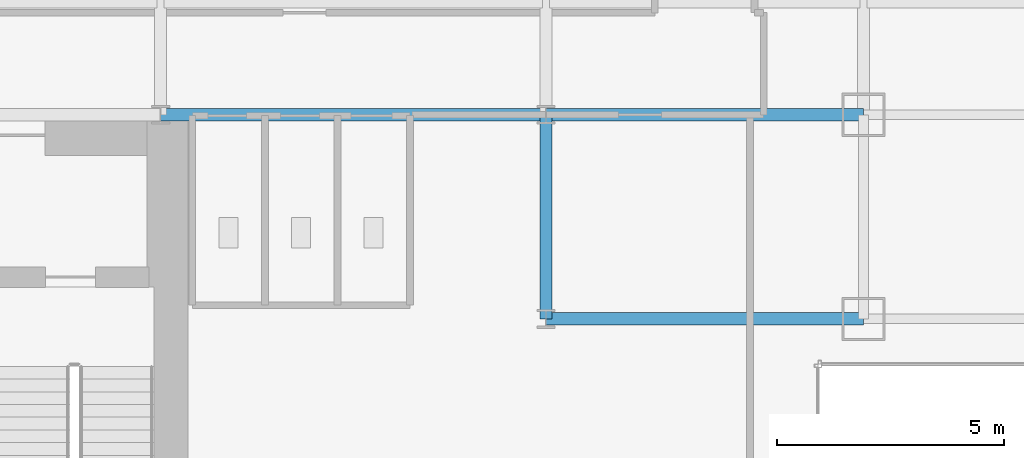
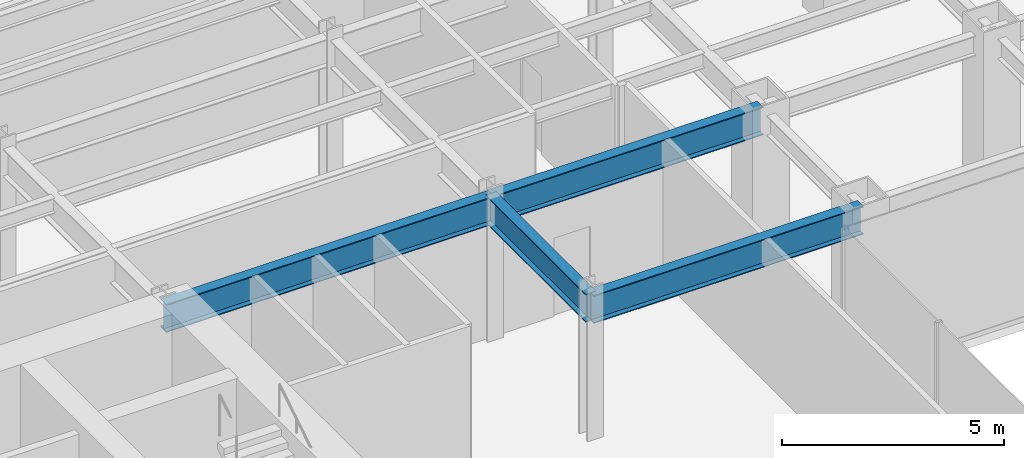
# One storey, part 9 of 35: 4 beams.
"""IFC4 building model written with IfcOpenShell, lengths in metres."""

import ifcopenshell
import ifcopenshell.guid

model = None  # the IFC model being written
_history = None  # IfcOwnerHistory: only IFC2X3 demands one
_inside = {}  # id of a spatial element -> (the spatial element, [elements in it])
_under = {}  # id of a project, library or spatial element -> (it, [spatial elements below it])
_declared = {}  # id of a project -> (the project, [libraries it declares])
_typed = {}  # id of a type object -> (the type object, [elements of that type])
_made_of = {}  # id of a material, layer set ... -> (it, [elements and type objects made of it])


def new_model(schema):
    """Start an empty IFC model of exactly this schema.

    Asked for "IFC4X3", IfcOpenShell would pick the latest addendum, in which some entities
    have other attributes; the version numbers below select the first issue.
    IFC2X3 requires an IfcOwnerHistory on every rooted entity: one is made here for all.
    """
    global model, _history
    if schema == "IFC4X3":
        model = ifcopenshell.file(schema_version=(4, 3, 0, 0))
    else:
        model = ifcopenshell.file(schema=schema)
    _inside.clear()
    _under.clear()
    _declared.clear()
    _typed.clear()
    _made_of.clear()
    _history = None
    if model.schema == "IFC2X3":
        org = make("IfcOrganization", Name="unknown")
        user = make(
            "IfcPersonAndOrganization",
            ThePerson=make("IfcPerson", FamilyName="unknown"),
            TheOrganization=org,
        )
        app = make(
            "IfcApplication",
            ApplicationDeveloper=org,
            Version="unknown",
            ApplicationFullName="unknown",
            ApplicationIdentifier="unknown",
        )
        _history = make(
            "IfcOwnerHistory",
            OwningUser=user,
            OwningApplication=app,
            ChangeAction="ADDED",
            CreationDate=0,
        )
    return model


def make(cls, **values):
    """One entity of the class cls with the attributes given. An attribute that is None is left unset."""
    return model.create_entity(
        cls, **{name: value for name, value in values.items() if value is not None}
    )


def rooted(cls, **values):
    """An entity with a GlobalId (a new one), such as an element, a storey or a relation."""
    return make(cls, GlobalId=ifcopenshell.guid.new(), OwnerHistory=_history, **values)


def si_unit(unit_type, name, prefix=None):
    """IfcSIUnit, for example si_unit("LENGTHUNIT", "METRE", prefix="MILLI")."""
    return make("IfcSIUnit", UnitType=unit_type, Prefix=prefix, Name=name)


def derived_unit(unit_type, elements):
    """IfcDerivedUnit: a product of units, each with its exponent."""
    return make(
        "IfcDerivedUnit",
        Elements=[
            make("IfcDerivedUnitElement", Unit=unit, Exponent=power)
            for unit, power in elements
        ],
        UnitType=unit_type,
    )


def assignment(units):
    """IfcUnitAssignment: the units of a project."""
    return None if units is None else make("IfcUnitAssignment", Units=units)


def point(xyz):
    """IfcCartesianPoint."""
    return None if xyz is None else make("IfcCartesianPoint", Coordinates=xyz)


def direction(xyz):
    """IfcDirection."""
    return None if xyz is None else make("IfcDirection", DirectionRatios=xyz)


def frame(location, z_axis=None, x_axis=None):
    """IfcAxis2Placement3D, a coordinate frame: its origin and axes. An axis left out is left unset."""
    return make(
        "IfcAxis2Placement3D",
        Location=point(location),
        Axis=direction(z_axis),
        RefDirection=direction(x_axis),
    )


def frame_2d(location, x_axis=None):
    """IfcAxis2Placement2D, a coordinate frame in the plane: its origin and x axis."""
    return make(
        "IfcAxis2Placement2D", Location=point(location), RefDirection=direction(x_axis)
    )


def origin():
    """The frame at (0, 0, 0) with its axes left unset."""
    return frame((0.0, 0.0, 0.0))


def origin_2d():
    """The frame at (0, 0) in the plane with its x axis left unset."""
    return frame_2d((0.0, 0.0))


def place(relative_to, where):
    """IfcLocalPlacement: puts the frame where relative to a parent placement (None: the world)."""
    return make(
        "IfcLocalPlacement", PlacementRelTo=relative_to, RelativePlacement=where
    )


def context(
    kind, dimensions, precision=None, world=None, true_north=None, identifier=None
):
    """IfcGeometricRepresentationContext, for example the 3D "Model" context."""
    return make(
        "IfcGeometricRepresentationContext",
        ContextIdentifier=identifier,
        ContextType=kind,
        CoordinateSpaceDimension=dimensions,
        Precision=precision,
        WorldCoordinateSystem=world,
        TrueNorth=true_north,
    )


def subcontext(parent, identifier, kind, view, scale=None):
    """IfcGeometricRepresentationSubContext, for example "Body" below "Model"."""
    return make(
        "IfcGeometricRepresentationSubContext",
        ContextIdentifier=identifier,
        ContextType=kind,
        ParentContext=parent,
        TargetScale=scale,
        TargetView=view,
    )


def project(units=None, contexts=None):
    """IfcProject with its units and contexts."""
    return rooted(
        "IfcProject",
        Name="project",
        RepresentationContexts=contexts,
        UnitsInContext=assignment(units),
    )


def spatial(cls, under=None, at=None, **own):
    """A site, building, storey or space (cls), placed at a placement, below another one or the project."""
    s = rooted(cls, ObjectPlacement=at, **own)
    if under is not None:
        _under.setdefault(under.id(), (under, []))[1].append(s)
    return s


def profile(cls, at=None, kind="AREA", **sizes):
    """A parametric profile (cls). Its sizes go by their IFC names, for example OverallWidth=200.0."""
    return make(cls, ProfileType=kind, Position=at, **sizes)


def i_section(**sizes):
    """IfcIShapeProfileDef."""
    return profile("IfcIShapeProfileDef", **sizes)


def extrude(swept, where, along, depth):
    """IfcExtrudedAreaSolid: the profile swept, set in the frame where, extruded along a direction by depth."""
    return make(
        "IfcExtrudedAreaSolid",
        SweptArea=swept,
        Position=where,
        ExtrudedDirection=direction(along),
        Depth=depth,
    )


def shape(context_of_items, identifier, shape_type, items):
    """IfcShapeRepresentation: the items that make up one representation, for example the "Body"."""
    return make(
        "IfcShapeRepresentation",
        ContextOfItems=context_of_items,
        RepresentationIdentifier=identifier,
        RepresentationType=shape_type,
        Items=items,
    )


def source(mapping_origin, context_of_items, identifier, shape_type, items):
    """IfcRepresentationMap: a shape defined once, which mapped items show again and again."""
    return make(
        "IfcRepresentationMap",
        MappingOrigin=mapping_origin,
        MappedRepresentation=shape(context_of_items, identifier, shape_type, items),
    )


def transform(
    local_origin,
    x_axis=None,
    y_axis=None,
    z_axis=None,
    scale=None,
    scale2=None,
    scale3=None,
    uniform=True,
):
    """IfcCartesianTransformationOperator3D, or its non-uniform kind. x_axis, y_axis, z_axis: its Axis1, 2, 3."""
    if uniform:
        return make(
            "IfcCartesianTransformationOperator3D",
            Axis1=direction(x_axis),
            Axis2=direction(y_axis),
            LocalOrigin=point(local_origin),
            Scale=scale,
            Axis3=direction(z_axis),
        )
    return make(
        "IfcCartesianTransformationOperator3DnonUniform",
        Axis1=direction(x_axis),
        Axis2=direction(y_axis),
        LocalOrigin=point(local_origin),
        Scale=scale,
        Axis3=direction(z_axis),
        Scale2=scale2,
        Scale3=scale3,
    )


def mapped(mapping_source, mapping_target):
    """IfcMappedItem: shows the shape of a source again, moved by a transform."""
    return make(
        "IfcMappedItem", MappingSource=mapping_source, MappingTarget=mapping_target
    )


def material(Name=None, Category=None):
    """IfcMaterial."""
    return make("IfcMaterial", Name=Name, Category=Category)


def material_profile(
    of_material, cross_section, Name=None, Category=None, Priority=None
):
    """IfcMaterialProfile: a cross section and its material."""
    return make(
        "IfcMaterialProfile",
        Name=Name,
        Material=of_material,
        Profile=cross_section,
        Priority=Priority,
        Category=Category,
    )


def profile_set(profiles, Name=None, composite=None):
    """IfcMaterialProfileSet."""
    return make(
        "IfcMaterialProfileSet",
        Name=Name,
        MaterialProfiles=profiles,
        CompositeProfile=composite,
    )


def made_of(thing, what):
    """Note that an element or type object is made of a material, layer set ...; save() writes the relation."""
    if what is not None:
        _made_of.setdefault(what.id(), (what, []))[1].append(thing)
    return thing


def type_object(cls, material=None, **own):
    """A type object (cls), such as IfcWallType, which elements share."""
    return made_of(rooted(cls, **own), material)


def element(
    cls,
    number,
    at=None,
    inside=None,
    cuts=None,
    type_object=None,
    material=None,
    context=None,
    identifier="Body",
    shape_type=None,
    held_by="IfcProductDefinitionShape",
    body=None,
    shapes=None,
    **own,
):
    """One element of the class cls, such as IfcWall. Its Tag is "e" and its number.

    at: its placement. inside: the storey or other place that contains it. cuts: it is an
    opening in that element (IfcRelVoidsElement). A single representation is given by context,
    identifier, shape_type and body (its items); several are given by shapes. held_by: the class
    of the entity that holds the representations. save() writes the other relations.
    """
    e = rooted(cls, Tag="e%d" % number, ObjectPlacement=at, **own)
    if body is not None:
        shapes = [shape(context, identifier, shape_type, body)]
    if shapes is not None:
        e.Representation = make(held_by, Representations=shapes)
    if inside is not None:
        _inside.setdefault(inside.id(), (inside, []))[1].append(e)
    if cuts is not None:
        rooted(
            "IfcRelVoidsElement", RelatingBuildingElement=cuts, RelatedOpeningElement=e
        )
    if type_object is not None:
        _typed.setdefault(type_object.id(), (type_object, []))[1].append(e)
    return made_of(e, material)


def aggregate(whole, parts):
    """IfcRelAggregates: a whole, such as a stair, and the parts it consists of."""
    return rooted("IfcRelAggregates", RelatingObject=whole, RelatedObjects=parts)


def save(model, path):
    """Write the relations noted so far, then the file.

    IfcRelAggregates (storeys below a building ...), IfcRelContainedInSpatialStructure (elements
    in a storey), IfcRelDefinesByType, IfcRelAssociatesMaterial and IfcRelDeclares: one each for
    every whole, place, type object, material and project.
    """
    for whole, parts in _under.values():
        aggregate(whole, parts)
    for where, things in _inside.values():
        rooted(
            "IfcRelContainedInSpatialStructure",
            RelatedElements=things,
            RelatingStructure=where,
        )
    for kind, things in _typed.values():
        rooted("IfcRelDefinesByType", RelatedObjects=things, RelatingType=kind)
    for what, things in _made_of.values():
        rooted("IfcRelAssociatesMaterial", RelatedObjects=things, RelatingMaterial=what)
    for by, libraries in _declared.values():
        rooted("IfcRelDeclares", RelatingContext=by, RelatedDefinitions=libraries)
    model.write(path)


model = new_model("IFC4")

# Units and contexts
model_context = context("Model", 3, precision=1e-05, world=origin(), true_north=direction((0.0, 1.0)))
body_context = subcontext(model_context, "Body", "Model", "MODEL_VIEW")
ifc_project = project(units=[si_unit("LENGTHUNIT", "METRE"), si_unit("AREAUNIT", "SQUARE_METRE"), si_unit("VOLUMEUNIT", "CUBIC_METRE"), si_unit("PLANEANGLEUNIT", "RADIAN"), si_unit("MASSUNIT", "GRAM", prefix="KILO"), derived_unit("THERMALTRANSMITTANCEUNIT", [(si_unit("POWERUNIT", "WATT"), 1), (si_unit("LENGTHUNIT", "METRE"), -2), (si_unit("THERMODYNAMICTEMPERATUREUNIT", "KELVIN"), -1)])], contexts=[model_context])

# Site, building, storey
site_placement = place(None, origin())
site = spatial("IfcSite", under=ifc_project, at=site_placement, CompositionType="ELEMENT")
building_placement = place(site_placement, origin())
building = spatial("IfcBuilding", under=site, at=building_placement, Name="Skarnbrae Concourse Arena and Tower", CompositionType="ELEMENT")
storey_placement = place(building_placement, frame((0.0, 0.0, 79.949951171875)))
storey = spatial("IfcBuildingStorey", under=building, at=storey_placement, Name="L19", CompositionType="ELEMENT", Elevation=79.949951171875)

# Beams
ifc_material = material(Name="Steel CSA G40.21 350W", Category="steel")
ifc_material_profile = material_profile(ifc_material, i_section(OverallWidth=0.26806640625, OverallDepth=0.77001953125, WebThickness=0.015625, FlangeThickness=0.025390625, at=origin_2d()), Name="W760X196")
ifc_profile_set = profile_set([ifc_material_profile], Name="Steel CSA G40.21 350W")
beam_type = type_object("IfcBeamType", Name="BM-GIRD-W760X196", PredefinedType="BEAM", material=ifc_profile_set)
shared_shape_1 = source(origin(), body_context, "Body", "SweptSolid", [
    extrude(i_section(OverallWidth=0.26806640625, OverallDepth=0.77001953125, WebThickness=0.015625, FlangeThickness=0.025390625, at=origin_2d()), origin(), (0.0, 0.0, 1.0), 7.0),
])
for number, where, z_axis, x_axis, name in (
    (1, (42.0, 9.5, 3.51513671875), (1.0, 0.0, 0.0), (0.0, 1.0, 0.0), "L19 Primary E-W girder Y9.5-2"),
    (2, (42.0, 14.0, 3.51513671875), (1.0, 0.0, 0.0), (0.0, 1.0, 0.0), "L19 Primary E-W girder Y14.0-7"),
):
    element("IfcBeam", number, at=place(storey_placement, frame(where, z_axis=z_axis, x_axis=x_axis)), inside=storey, type_object=beam_type, Name=name, PredefinedType="BEAM", context=body_context, shape_type="MappedRepresentation", body=[
        mapped(shared_shape_1, transform((0.0, 0.0, 0.0))),
    ])
shared_shape_2 = source(origin(), body_context, "Body", "SweptSolid", [
    extrude(i_section(OverallWidth=0.26806640625, OverallDepth=0.77001953125, WebThickness=0.015625, FlangeThickness=0.025390625, at=origin_2d()), origin(), (0.0, 0.0, 1.0), 8.5),
])
beam_1_placement = place(storey_placement, frame((33.5, 14.0, 3.51513671875), z_axis=(1.0, 0.0, 0.0), x_axis=(0.0, 1.0, 0.0)))
element("IfcBeam", 3, at=beam_1_placement, inside=storey, type_object=beam_type, Name="L19 Primary E-W girder Y14.0-6", PredefinedType="BEAM", context=body_context, shape_type="MappedRepresentation", body=[
    mapped(shared_shape_2, transform((0.0, 0.0, 0.0))),
])
shared_shape_3 = source(origin(), body_context, "Body", "SweptSolid", [
    extrude(i_section(OverallWidth=0.26806640625, OverallDepth=0.77001953125, WebThickness=0.015625, FlangeThickness=0.025390625, at=origin_2d()), origin(), (0.0, 0.0, 1.0), 4.5),
])
beam_2_placement = place(storey_placement, frame((42.0, 9.5, 3.51513671875), z_axis=(0.0, 1.0, 0.0), x_axis=(-1.0, 0.0, 0.0)))
element("IfcBeam", 4, at=beam_2_placement, inside=storey, type_object=beam_type, Name="L19 Primary N-S girder X42.0-1", PredefinedType="BEAM", context=body_context, shape_type="MappedRepresentation", body=[
    mapped(shared_shape_3, transform((0.0, 0.0, 0.0))),
])

save(model, "model.ifc")
